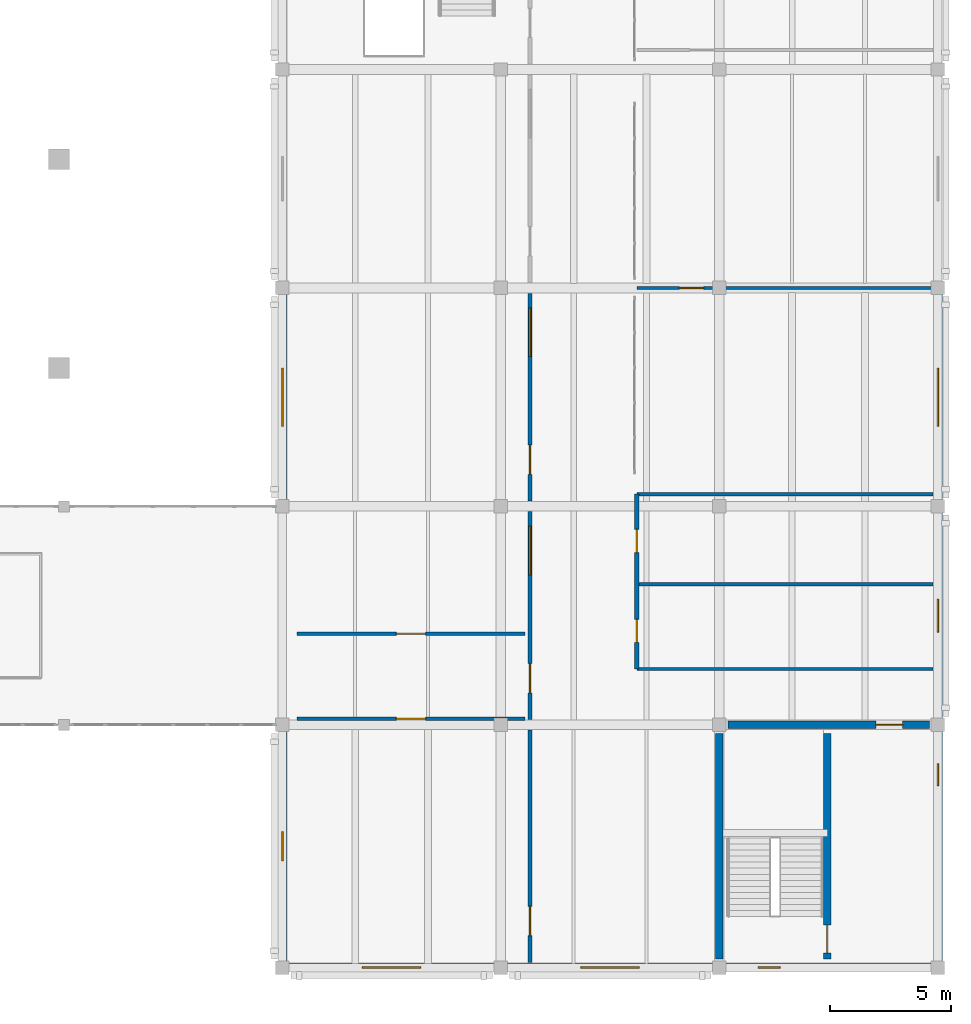
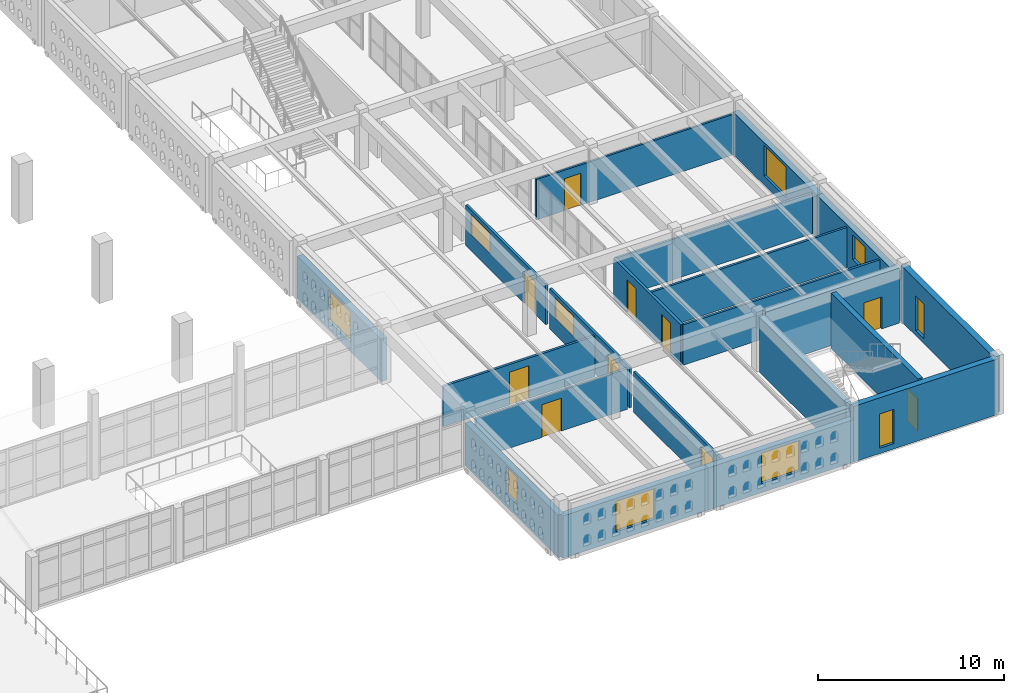
# One storey, part 134 of 156: 21 walls, 10 doors, 10 windows, 20 openings.
"""IFC4 building model written with IfcOpenShell, lengths in metres."""

from ifc_helpers import new_model, si_unit, direction, frame, frame_2d, origin, place, context, subcontext, project, spatial, rectangle, extrude, material, layer, layer_set, type_object, element, fill, save


model = new_model("IFC4")

# Units and contexts
model_context = context("Model", 3, precision=1e-05, world=origin(), true_north=direction((0.0, 1.0)))
body_context = subcontext(model_context, "Body", "Model", "MODEL_VIEW")
ifc_project = project(units=[si_unit("LENGTHUNIT", "METRE"), si_unit("AREAUNIT", "SQUARE_METRE"), si_unit("VOLUMEUNIT", "CUBIC_METRE"), si_unit("PLANEANGLEUNIT", "RADIAN"), si_unit("MASSUNIT", "GRAM", prefix="KILO")], contexts=[model_context])

# Site, building, storey
site_placement = place(None, origin())
site = spatial("IfcSite", under=ifc_project, at=site_placement, CompositionType="ELEMENT")
building_placement = place(site_placement, origin())
building = spatial("IfcBuilding", under=site, at=building_placement, Name="Ornek Quay Market", CompositionType="ELEMENT")
storey_placement = place(building_placement, frame((0.0, 0.0, 4.5)))
storey = spatial("IfcBuildingStorey", under=building, at=storey_placement, Name="L01", CompositionType="ELEMENT", Elevation=4.5)

# Wall, opening, door
ifc_material_1 = material(Name="Concrete C40/50", Category="concrete")
ifc_layer_1 = layer(ifc_material_1, 0.300048828125, Name="Concrete C40/50", Category="concrete")
ifc_layer_set_1 = layer_set([ifc_layer_1], Name="Concrete C40/50")
wall_type_1 = type_object("IfcWallType", Name="WL-CORE-300", PredefinedType="SHEAR", material=ifc_layer_set_1)
wall_1_placement = place(storey_placement, frame((175.449951171875, 10.35009765625, 0.0), z_axis=(0.0, 0.0, 1.0), x_axis=(0.0, 1.0, 0.0)))
wall_1 = element("IfcWall", 1, at=wall_1_placement, inside=storey, type_object=wall_type_1, Name="Interior wall W-CORE1-160", PredefinedType="SHEAR", context=body_context, shape_type="SweptSolid", body=[
    extrude(rectangle(XDim=9.2998046875, YDim=0.300048828125, at=frame_2d((4.64990234375, 0.0))), origin(), (0.0, 0.0, 1.0), 3.6201171875),
])
opening_1_placement = place(wall_1_placement, frame((0.25, 0.0, 0.0)))
opening_1 = element("IfcOpeningElement", 2, at=opening_1_placement, cuts=wall_1, Name="Opening FD-03-062", PredefinedType="OPENING", context=body_context, shape_type="SweptSolid", body=[
    extrude(rectangle(XDim=1.14990234375, YDim=2.14990234375, at=frame_2d((0.574951171875, 1.074951171875))), frame((0.0, 0.159912109375, 0.0), z_axis=(0.0, -1.0, 0.0), x_axis=(1.0, 0.0, 0.0)), (0.0, 0.0, 1.0), 0.320068359375),
])
ifc_material_2 = material(Name="Insulated fire-rated painted steel", Category="steel")
door_type_1 = type_object("IfcDoorType", Name="DR-FIRE-STAIR-1150x2150", OperationType="NOTDEFINED", PredefinedType="DOOR", material=ifc_material_2)
door_1_placement = place(opening_1_placement, origin())
door_1 = element("IfcDoor", 3, at=door_1_placement, inside=storey, type_object=door_type_1, Name="Interior door FD-03-062", OperationType="SINGLE_SWING_LEFT", OverallHeight=2.14990234375, OverallWidth=1.14990234375, PredefinedType="DOOR", context=body_context, shape_type="SweptSolid", body=[
    extrude(rectangle(XDim=1.14990234375, YDim=2.14990234375, at=frame_2d((0.574951171875, 1.074951171875))), frame((0.0, 0.02490234375, 0.0), z_axis=(0.0, -1.0, 0.0), x_axis=(1.0, 0.0, 0.0)), (0.0, 0.0, 1.0), 0.050048828125),
])
fill(opening_1, door_1)

# Wall
wall_2_placement = place(storey_placement, frame((171.0, 10.35009765625, 0.0), z_axis=(0.0, 0.0, 1.0), x_axis=(0.0, 1.0, 0.0)))
element("IfcWall", 4, at=wall_2_placement, inside=storey, type_object=wall_type_1, Name="Interior wall W-CORE1-161", PredefinedType="SHEAR", context=body_context, shape_type="SweptSolid", body=[
    extrude(rectangle(XDim=9.2998046875, YDim=0.300048828125, at=frame_2d((4.64990234375, 0.0))), origin(), (0.0, 0.0, 1.0), 3.6201171875),
])

# Wall, opening, door
wall_3_placement = place(storey_placement, frame((171.35009765625, 20.0, 0.0), z_axis=(0.0, 0.0, 1.0), x_axis=(1.0, 0.0, 0.0)))
wall_3 = element("IfcWall", 5, at=wall_3_placement, inside=storey, type_object=wall_type_1, Name="Interior wall W-CORE1-162", PredefinedType="SHEAR", context=body_context, shape_type="SweptSolid", body=[
    extrude(rectangle(XDim=8.2998046875, YDim=0.300048828125, at=frame_2d((4.14990234375, 0.0))), origin(), (0.0, 0.0, 1.0), 3.6201171875),
])
opening_2_placement = place(wall_3_placement, frame((6.10009765625, 0.0, 0.0)))
opening_2 = element("IfcOpeningElement", 6, at=opening_2_placement, cuts=wall_3, Name="Opening FD-04-063", PredefinedType="OPENING", context=body_context, shape_type="SweptSolid", body=[
    extrude(rectangle(XDim=1.10009765625, YDim=2.10009765625, at=frame_2d((0.550048828125, 1.050048828125))), frame((0.0, 0.159912109375, 0.0), z_axis=(0.0, -1.0, 0.0), x_axis=(1.0, 0.0, 0.0)), (0.0, 0.0, 1.0), 0.320068359375),
])
door_type_2 = type_object("IfcDoorType", Name="DR-FIRE-LOBBY-1100x2100", OperationType="NOTDEFINED", PredefinedType="DOOR", material=ifc_material_2)
door_2_placement = place(opening_2_placement, origin())
door_2 = element("IfcDoor", 7, at=door_2_placement, inside=storey, type_object=door_type_2, Name="Interior door FD-04-063", OperationType="SINGLE_SWING_RIGHT", OverallHeight=2.10009765625, OverallWidth=1.10009765625, PredefinedType="DOOR", context=body_context, shape_type="SweptSolid", body=[
    extrude(rectangle(XDim=1.10009765625, YDim=2.10009765625, at=frame_2d((0.550048828125, 1.050048828125))), frame((0.0, 0.02490234375, 0.0), z_axis=(0.0, -1.0, 0.0), x_axis=(1.0, 0.0, 0.0)), (0.0, 0.0, 1.0), 0.050048828125),
])
fill(opening_2, door_2)

# Wall, openings, doors
ifc_material_3 = material(Name="Autoclaved aerated concrete masonry", Category="masonry")
ifc_layer_2 = layer(ifc_material_3, 0.179931640625, Name="Autoclaved aerated concrete masonry", Category="masonry")
ifc_layer_set_2 = layer_set([ifc_layer_2], Name="Autoclaved aerated concrete masonry")
wall_type_2 = type_object("IfcWallType", Name="WL-CORR-180", PredefinedType="STANDARD", material=ifc_layer_set_2)
wall_4_placement = place(storey_placement, frame((167.60009765625, 22.300048828125, 0.0), z_axis=(0.0, 0.0, 1.0), x_axis=(0.0, 1.0, 0.0)))
wall_4 = element("IfcWall", 8, at=wall_4_placement, inside=storey, type_object=wall_type_2, Name="Interior wall W-INT1-395", PredefinedType="STANDARD", context=body_context, shape_type="SweptSolid", body=[
    extrude(rectangle(XDim=7.199951171875, YDim=0.179931640625, at=frame_2d((3.60009765625, 0.0))), origin(), (0.0, 0.0, 1.0), 2.64990234375),
])
opening_3_placement = place(wall_4_placement, frame((1.10009765625, 0.0, 0.0)))
opening_3 = element("IfcOpeningElement", 9, at=opening_3_placement, cuts=wall_4, Name="Opening ID-04-190", PredefinedType="OPENING", context=body_context, shape_type="SweptSolid", body=[
    extrude(rectangle(XDim=0.949951171875, YDim=2.10009765625, at=frame_2d((0.47509765625, 1.050048828125))), frame((0.0, 0.099853515625, 0.0), z_axis=(0.0, -1.0, 0.0), x_axis=(1.0, 0.0, 0.0)), (0.0, 0.0, 1.0), 0.199951171875),
])
opening_4_placement = place(wall_4_placement, frame((4.800048828125, 0.0, 0.0)))
opening_4 = element("IfcOpeningElement", 10, at=opening_4_placement, cuts=wall_4, Name="Opening ID-04-191", PredefinedType="OPENING", context=body_context, shape_type="SweptSolid", body=[
    extrude(rectangle(XDim=0.949951171875, YDim=2.10009765625, at=frame_2d((0.47509765625, 1.050048828125))), frame((0.0, 0.099853515625, 0.0), z_axis=(0.0, -1.0, 0.0), x_axis=(1.0, 0.0, 0.0)), (0.0, 0.0, 1.0), 0.199951171875),
])
ifc_material_4 = material(Name="Moisture-resistant laminate door", Category="other")
door_type_3 = type_object("IfcDoorType", Name="DR-INT-WC-950x2100", OperationType="NOTDEFINED", PredefinedType="DOOR", material=ifc_material_4)
door_3_placement = place(opening_3_placement, origin())
door_3 = element("IfcDoor", 11, at=door_3_placement, inside=storey, type_object=door_type_3, Name="Interior door ID-04-190", OperationType="SINGLE_SWING_LEFT", OverallHeight=2.10009765625, OverallWidth=0.949951171875, PredefinedType="DOOR", context=body_context, shape_type="SweptSolid", body=[
    extrude(rectangle(XDim=0.949951171875, YDim=2.10009765625, at=frame_2d((0.47509765625, 1.050048828125))), frame((0.0, 0.02490234375, 0.0), z_axis=(0.0, -1.0, 0.0), x_axis=(1.0, 0.0, 0.0)), (0.0, 0.0, 1.0), 0.050048828125),
])
fill(opening_3, door_3)
door_4_placement = place(opening_4_placement, origin())
door_4 = element("IfcDoor", 12, at=door_4_placement, inside=storey, type_object=door_type_3, Name="Interior door ID-04-191", OperationType="SINGLE_SWING_RIGHT", OverallHeight=2.10009765625, OverallWidth=0.949951171875, PredefinedType="DOOR", context=body_context, shape_type="SweptSolid", body=[
    extrude(rectangle(XDim=0.949951171875, YDim=2.10009765625, at=frame_2d((0.47509765625, 1.050048828125))), frame((0.0, 0.02490234375, 0.0), z_axis=(0.0, -1.0, 0.0), x_axis=(1.0, 0.0, 0.0)), (0.0, 0.0, 1.0), 0.050048828125),
])
fill(opening_4, door_4)

# Wall, opening, window
ifc_material_5 = material(Name="Frost-resistant facing clay brick M200 F100", Category="masonry")
ifc_layer_3 = layer(ifc_material_5, 0.3701171875, Name="Frost-resistant facing clay brick M200 F100", Category="masonry")
ifc_layer_set_3 = layer_set([ifc_layer_3], Name="Frost-resistant facing clay brick M200 F100")
wall_type_3 = type_object("IfcWallType", Name="WL-EXT-CS-370", PredefinedType="STANDARD", material=ifc_layer_set_3)
wall_5_placement = place(storey_placement, frame((153.0, 10.0, 0.0), z_axis=(0.0, 0.0, 1.0), x_axis=(0.0, 1.0, 0.0)))
wall_5 = element("IfcWall", 13, at=wall_5_placement, inside=storey, type_object=wall_type_3, Name="Exterior wall EW-200", PredefinedType="STANDARD", context=body_context, shape_type="SweptSolid", body=[
    extrude(rectangle(XDim=10.0, YDim=0.3701171875, at=frame_2d((5.0, 0.0))), origin(), (0.0, 0.0, 1.0), 2.780029296875),
])
opening_5_placement = place(wall_5_placement, frame((4.39990234375, 0.0, 0.7900390625)))
opening_5 = element("IfcOpeningElement", 14, at=opening_5_placement, cuts=wall_5, Name="Opening W-11-163", PredefinedType="OPENING", context=body_context, shape_type="SweptSolid", body=[
    extrude(rectangle(XDim=1.199951171875, YDim=1.800048828125, at=frame_2d((0.60009765625, 0.89990234375))), frame((0.0, 0.195068359375, 0.0), z_axis=(0.0, -1.0, 0.0), x_axis=(1.0, 0.0, 0.0)), (0.0, 0.0, 1.0), 0.39013671875),
])
ifc_material_6 = material(Name="Thermally broken bronze aluminium and triple low-e glass", Category="aluminium")
window_type_1 = type_object("IfcWindowType", Name="WN-CS-1200x1800", PartitioningType="SINGLE_PANEL", PredefinedType="WINDOW", material=ifc_material_6)
window_1_placement = place(opening_5_placement, origin())
window_1 = element("IfcWindow", 15, at=window_1_placement, inside=storey, type_object=window_type_1, Name="Window W-11-163", OverallHeight=1.800048828125, OverallWidth=1.199951171875, PartitioningType="SINGLE_PANEL", PredefinedType="WINDOW", context=body_context, shape_type="SweptSolid", body=[
    extrude(rectangle(XDim=1.199951171875, YDim=1.800048828125, at=frame_2d((0.60009765625, 0.89990234375))), frame((0.0, 0.030029296875, 0.0), z_axis=(0.0, -1.0, 0.0), x_axis=(1.0, 0.0, 0.0)), (0.0, 0.0, 1.0), 0.06005859375),
])
fill(opening_5, window_1)

wall_6_placement = place(storey_placement, frame((153.0, 29.0, 0.0), z_axis=(0.0, 0.0, 1.0), x_axis=(0.0, 1.0, 0.0)))
wall_6 = element("IfcWall", 16, at=wall_6_placement, inside=storey, type_object=wall_type_3, Name="Exterior wall EW-201", PredefinedType="STANDARD", context=body_context, shape_type="SweptSolid", body=[
    extrude(rectangle(XDim=9.0, YDim=0.3701171875, at=frame_2d((4.5, 0.0))), origin(), (0.0, 0.0, 1.0), 2.780029296875),
])
opening_6_placement = place(wall_6_placement, frame((3.300048828125, 0.0, 0.590087890625)))
opening_6 = element("IfcOpeningElement", 17, at=opening_6_placement, cuts=wall_6, Name="Opening W-08-164", PredefinedType="OPENING", context=body_context, shape_type="SweptSolid", body=[
    extrude(rectangle(XDim=2.39990234375, YDim=2.0, at=frame_2d((1.199951171875, 1.0))), frame((0.0, 0.195068359375, 0.0), z_axis=(0.0, -1.0, 0.0), x_axis=(1.0, 0.0, 0.0)), (0.0, 0.0, 1.0), 0.39013671875),
])
window_type_2 = type_object("IfcWindowType", Name="WN-CS-2400x2000", PartitioningType="DOUBLE_PANEL_VERTICAL", PredefinedType="WINDOW", material=ifc_material_6)
window_2_placement = place(opening_6_placement, origin())
window_2 = element("IfcWindow", 18, at=window_2_placement, inside=storey, type_object=window_type_2, Name="Window W-08-164", OverallHeight=2.0, OverallWidth=2.39990234375, PartitioningType="SINGLE_PANEL", PredefinedType="WINDOW", context=body_context, shape_type="SweptSolid", body=[
    extrude(rectangle(XDim=2.39990234375, YDim=2.0, at=frame_2d((1.199951171875, 1.0))), frame((0.0, 0.030029296875, 0.0), z_axis=(0.0, -1.0, 0.0), x_axis=(1.0, 0.0, 0.0)), (0.0, 0.0, 1.0), 0.06005859375),
])
fill(opening_6, window_2)

wall_7_placement = place(storey_placement, frame((180.0, 20.0, 0.0), z_axis=(0.0, 0.0, 1.0), x_axis=(0.0, -1.0, 0.0)))
wall_7 = element("IfcWall", 19, at=wall_7_placement, inside=storey, type_object=wall_type_3, Name="Exterior wall EW-205", PredefinedType="STANDARD", context=body_context, shape_type="SweptSolid", body=[
    extrude(rectangle(XDim=10.0, YDim=0.3701171875, at=frame_2d((5.0, 0.0))), origin(), (0.0, 0.0, 1.0), 3.64990234375),
])
opening_7_placement = place(wall_7_placement, frame((1.60009765625, 0.0, 0.35009765625)))
opening_7 = element("IfcOpeningElement", 20, at=opening_7_placement, cuts=wall_7, Name="Opening W-17-168", PredefinedType="OPENING", context=body_context, shape_type="SweptSolid", body=[
    extrude(rectangle(XDim=0.89990234375, YDim=2.239990234375, at=frame_2d((0.449951171875, 1.1201171875))), frame((0.0, 0.195068359375, 0.0), z_axis=(0.0, -1.0, 0.0), x_axis=(1.0, 0.0, 0.0)), (0.0, 0.0, 1.0), 0.39013671875),
])
window_type_3 = type_object("IfcWindowType", Name="WN-CORE-900x2400", PartitioningType="SINGLE_PANEL", PredefinedType="WINDOW", material=ifc_material_6)
window_3_placement = place(opening_7_placement, origin())
window_3 = element("IfcWindow", 21, at=window_3_placement, inside=storey, type_object=window_type_3, Name="Window W-17-168", OverallHeight=2.239990234375, OverallWidth=0.89990234375, PartitioningType="SINGLE_PANEL", PredefinedType="WINDOW", context=body_context, shape_type="SweptSolid", body=[
    extrude(rectangle(XDim=0.89990234375, YDim=2.239990234375, at=frame_2d((0.449951171875, 1.1201171875))), frame((0.0, 0.030029296875, 0.0), z_axis=(0.0, -1.0, 0.0), x_axis=(1.0, 0.0, 0.0)), (0.0, 0.0, 1.0), 0.06005859375),
])
fill(opening_7, window_3)

wall_8_placement = place(storey_placement, frame((180.0, 20.0, 0.0), z_axis=(0.0, 0.0, 1.0), x_axis=(0.0, 1.0, 0.0)))
wall_8 = element("IfcWall", 22, at=wall_8_placement, inside=storey, type_object=wall_type_3, Name="Exterior wall EW-206", PredefinedType="STANDARD", context=body_context, shape_type="SweptSolid", body=[
    extrude(rectangle(XDim=9.0, YDim=0.3701171875, at=frame_2d((4.5, 0.0))), origin(), (0.0, 0.0, 1.0), 2.780029296875),
])
opening_8_placement = place(wall_8_placement, frame((3.824951171875, 0.0, 0.89990234375)))
opening_8 = element("IfcOpeningElement", 23, at=opening_8_placement, cuts=wall_8, Name="Opening W-16-169", PredefinedType="OPENING", context=body_context, shape_type="SweptSolid", body=[
    extrude(rectangle(XDim=1.35009765625, YDim=1.60009765625, at=frame_2d((0.675048828125, 0.800048828125))), frame((0.0, 0.195068359375, 0.0), z_axis=(0.0, -1.0, 0.0), x_axis=(1.0, 0.0, 0.0)), (0.0, 0.0, 1.0), 0.39013671875),
])
window_type_4 = type_object("IfcWindowType", Name="WN-OFF-1350x1600", PartitioningType="SINGLE_PANEL", PredefinedType="WINDOW", material=ifc_material_6)
window_4_placement = place(opening_8_placement, origin())
window_4 = element("IfcWindow", 24, at=window_4_placement, inside=storey, type_object=window_type_4, Name="Window W-16-169", OverallHeight=1.60009765625, OverallWidth=1.35009765625, PartitioningType="SINGLE_PANEL", PredefinedType="WINDOW", context=body_context, shape_type="SweptSolid", body=[
    extrude(rectangle(XDim=1.35009765625, YDim=1.60009765625, at=frame_2d((0.675048828125, 0.800048828125))), frame((0.0, 0.030029296875, 0.0), z_axis=(0.0, -1.0, 0.0), x_axis=(1.0, 0.0, 0.0)), (0.0, 0.0, 1.0), 0.06005859375),
])
fill(opening_8, window_4)

wall_9_placement = place(storey_placement, frame((180.0, 29.0, 0.0), z_axis=(0.0, 0.0, 1.0), x_axis=(0.0, 1.0, 0.0)))
wall_9 = element("IfcWall", 25, at=wall_9_placement, inside=storey, type_object=wall_type_3, Name="Exterior wall EW-207", PredefinedType="STANDARD", context=body_context, shape_type="SweptSolid", body=[
    extrude(rectangle(XDim=9.0, YDim=0.3701171875, at=frame_2d((4.5, 0.0))), origin(), (0.0, 0.0, 1.0), 2.780029296875),
])
opening_9_placement = place(wall_9_placement, frame((3.300048828125, 0.0, 0.590087890625)))
opening_9 = element("IfcOpeningElement", 26, at=opening_9_placement, cuts=wall_9, Name="Opening W-08-170", PredefinedType="OPENING", context=body_context, shape_type="SweptSolid", body=[
    extrude(rectangle(XDim=2.39990234375, YDim=2.0, at=frame_2d((1.199951171875, 1.0))), frame((0.0, 0.195068359375, 0.0), z_axis=(0.0, -1.0, 0.0), x_axis=(1.0, 0.0, 0.0)), (0.0, 0.0, 1.0), 0.39013671875),
])
window_5_placement = place(opening_9_placement, origin())
window_5 = element("IfcWindow", 27, at=window_5_placement, inside=storey, type_object=window_type_2, Name="Window W-08-170", OverallHeight=2.0, OverallWidth=2.39990234375, PartitioningType="SINGLE_PANEL", PredefinedType="WINDOW", context=body_context, shape_type="SweptSolid", body=[
    extrude(rectangle(XDim=2.39990234375, YDim=2.0, at=frame_2d((1.199951171875, 1.0))), frame((0.0, 0.030029296875, 0.0), z_axis=(0.0, -1.0, 0.0), x_axis=(1.0, 0.0, 0.0)), (0.0, 0.0, 1.0), 0.06005859375),
])
fill(opening_9, window_5)

wall_10_placement = place(storey_placement, frame((153.0, 10.0, 0.0), z_axis=(0.0, 0.0, 1.0), x_axis=(1.0, 0.0, 0.0)))
wall_10 = element("IfcWall", 28, at=wall_10_placement, inside=storey, type_object=wall_type_3, Name="Exterior wall EW-211", PredefinedType="STANDARD", context=body_context, shape_type="SweptSolid", body=[
    extrude(rectangle(XDim=9.0, YDim=0.3701171875, at=frame_2d((4.5, 0.0))), origin(), (0.0, 0.0, 1.0), 2.780029296875),
])
opening_10_placement = place(wall_10_placement, frame((3.300048828125, 0.0, 0.590087890625)))
opening_10 = element("IfcOpeningElement", 29, at=opening_10_placement, cuts=wall_10, Name="Opening W-08-174", PredefinedType="OPENING", context=body_context, shape_type="SweptSolid", body=[
    extrude(rectangle(XDim=2.39990234375, YDim=2.0, at=frame_2d((1.199951171875, 1.0))), frame((0.0, 0.195068359375, 0.0), z_axis=(0.0, -1.0, 0.0), x_axis=(1.0, 0.0, 0.0)), (0.0, 0.0, 1.0), 0.39013671875),
])
window_6_placement = place(opening_10_placement, origin())
window_6 = element("IfcWindow", 30, at=window_6_placement, inside=storey, type_object=window_type_2, Name="Window W-08-174", OverallHeight=2.0, OverallWidth=2.39990234375, PartitioningType="SINGLE_PANEL", PredefinedType="WINDOW", context=body_context, shape_type="SweptSolid", body=[
    extrude(rectangle(XDim=2.39990234375, YDim=2.0, at=frame_2d((1.199951171875, 1.0))), frame((0.0, 0.030029296875, 0.0), z_axis=(0.0, -1.0, 0.0), x_axis=(1.0, 0.0, 0.0)), (0.0, 0.0, 1.0), 0.06005859375),
])
fill(opening_10, window_6)

wall_11_placement = place(storey_placement, frame((162.0, 10.0, 0.0), z_axis=(0.0, 0.0, 1.0), x_axis=(1.0, 0.0, 0.0)))
wall_11 = element("IfcWall", 31, at=wall_11_placement, inside=storey, type_object=wall_type_3, Name="Exterior wall EW-212", PredefinedType="STANDARD", context=body_context, shape_type="SweptSolid", body=[
    extrude(rectangle(XDim=9.0, YDim=0.3701171875, at=frame_2d((4.5, 0.0))), origin(), (0.0, 0.0, 1.0), 2.780029296875),
])
opening_11_placement = place(wall_11_placement, frame((3.300048828125, 0.0, 0.590087890625)))
opening_11 = element("IfcOpeningElement", 32, at=opening_11_placement, cuts=wall_11, Name="Opening W-08-175", PredefinedType="OPENING", context=body_context, shape_type="SweptSolid", body=[
    extrude(rectangle(XDim=2.39990234375, YDim=2.0, at=frame_2d((1.199951171875, 1.0))), frame((0.0, 0.195068359375, 0.0), z_axis=(0.0, -1.0, 0.0), x_axis=(1.0, 0.0, 0.0)), (0.0, 0.0, 1.0), 0.39013671875),
])
window_7_placement = place(opening_11_placement, origin())
window_7 = element("IfcWindow", 33, at=window_7_placement, inside=storey, type_object=window_type_2, Name="Window W-08-175", OverallHeight=2.0, OverallWidth=2.39990234375, PartitioningType="SINGLE_PANEL", PredefinedType="WINDOW", context=body_context, shape_type="SweptSolid", body=[
    extrude(rectangle(XDim=2.39990234375, YDim=2.0, at=frame_2d((1.199951171875, 1.0))), frame((0.0, 0.030029296875, 0.0), z_axis=(0.0, -1.0, 0.0), x_axis=(1.0, 0.0, 0.0)), (0.0, 0.0, 1.0), 0.06005859375),
])
fill(opening_11, window_7)

wall_12_placement = place(storey_placement, frame((171.0, 10.0, 0.0), z_axis=(0.0, 0.0, 1.0), x_axis=(1.0, 0.0, 0.0)))
wall_12 = element("IfcWall", 34, at=wall_12_placement, inside=storey, type_object=wall_type_3, Name="Exterior wall EW-213", PredefinedType="STANDARD", context=body_context, shape_type="SweptSolid", body=[
    extrude(rectangle(XDim=9.0, YDim=0.3701171875, at=frame_2d((4.5, 0.0))), origin(), (0.0, 0.0, 1.0), 3.64990234375),
])
opening_12_placement = place(wall_12_placement, frame((1.60009765625, 0.0, 0.35009765625)))
opening_12 = element("IfcOpeningElement", 35, at=opening_12_placement, cuts=wall_12, Name="Opening W-17-176", PredefinedType="OPENING", context=body_context, shape_type="SweptSolid", body=[
    extrude(rectangle(XDim=0.89990234375, YDim=2.239990234375, at=frame_2d((0.449951171875, 1.1201171875))), frame((0.0, 0.195068359375, 0.0), z_axis=(0.0, -1.0, 0.0), x_axis=(1.0, 0.0, 0.0)), (0.0, 0.0, 1.0), 0.39013671875),
])
window_8_placement = place(opening_12_placement, origin())
window_8 = element("IfcWindow", 36, at=window_8_placement, inside=storey, type_object=window_type_3, Name="Window W-17-176", OverallHeight=2.239990234375, OverallWidth=0.89990234375, PartitioningType="SINGLE_PANEL", PredefinedType="WINDOW", context=body_context, shape_type="SweptSolid", body=[
    extrude(rectangle(XDim=0.89990234375, YDim=2.239990234375, at=frame_2d((0.449951171875, 1.1201171875))), frame((0.0, 0.030029296875, 0.0), z_axis=(0.0, -1.0, 0.0), x_axis=(1.0, 0.0, 0.0)), (0.0, 0.0, 1.0), 0.06005859375),
])
fill(opening_12, window_8)

# Wall, opening, door
ifc_material_7 = material(Name="Acoustic stud partition", Category="other")
ifc_layer_4 = layer(ifc_material_7, 0.125, Name="Acoustic stud partition", Category="other")
ifc_layer_set_4 = layer_set([ifc_layer_4], Name="Acoustic stud partition")
wall_type_4 = type_object("IfcWallType", Name="WL-OFF-125", PredefinedType="PARTITIONING", material=ifc_layer_set_4)
wall_13_placement = place(storey_placement, frame((167.60009765625, 38.0, 0.0), z_axis=(0.0, 0.0, 1.0), x_axis=(1.0, 0.0, 0.0)))
wall_13 = element("IfcWall", 37, at=wall_13_placement, inside=storey, type_object=wall_type_4, Name="Interior wall W-INT5-324", PredefinedType="PARTITIONING", context=body_context, shape_type="SweptSolid", body=[
    extrude(rectangle(XDim=12.199951171875, YDim=0.125, at=frame_2d((6.10009765625, 0.0))), origin(), (0.0, 0.0, 1.0), 2.64990234375),
])
opening_13_placement = place(wall_13_placement, frame((1.75, 0.0, 0.0)))
opening_13 = element("IfcOpeningElement", 38, at=opening_13_placement, cuts=wall_13, Name="Opening ID-03-152", PredefinedType="OPENING", context=body_context, shape_type="SweptSolid", body=[
    extrude(rectangle(XDim=1.0, YDim=2.10009765625, at=frame_2d((0.5, 1.050048828125))), frame((0.0, 0.072509765625, 0.0), z_axis=(0.0, -1.0, 0.0), x_axis=(1.0, 0.0, 0.0)), (0.0, 0.0, 1.0), 0.14501953125),
])
ifc_material_8 = material(Name="Solid oak door", Category="other")
door_type_4 = type_object("IfcDoorType", Name="DR-INT-ROOM-1000x2100", OperationType="NOTDEFINED", PredefinedType="DOOR", material=ifc_material_8)
door_5_placement = place(opening_13_placement, origin())
door_5 = element("IfcDoor", 39, at=door_5_placement, inside=storey, type_object=door_type_4, Name="Interior door ID-03-152", OperationType="SINGLE_SWING_LEFT", OverallHeight=2.10009765625, OverallWidth=1.0, PredefinedType="DOOR", context=body_context, shape_type="SweptSolid", body=[
    extrude(rectangle(XDim=1.0, YDim=2.10009765625, at=frame_2d((0.5, 1.050048828125))), frame((0.0, 0.02490234375, 0.0), z_axis=(0.0, -1.0, 0.0), x_axis=(1.0, 0.0, 0.0)), (0.0, 0.0, 1.0), 0.050048828125),
])
fill(opening_13, door_5)

ifc_material_9 = material(Name="Acoustic twin-stud gypsum partition", Category="other")
ifc_layer_5 = layer(ifc_material_9, 0.14990234375, Name="Acoustic twin-stud gypsum partition", Category="other")
ifc_layer_set_5 = layer_set([ifc_layer_5], Name="Acoustic twin-stud gypsum partition")
wall_type_5 = type_object("IfcWallType", Name="WL-STUDIO-150", PredefinedType="PARTITIONING", material=ifc_layer_set_5)
wall_14_placement = place(storey_placement, frame((163.199951171875, 10.219970703125, 0.0), z_axis=(0.0, 0.0, 1.0), x_axis=(0.0, 1.0, 0.0)))
wall_14 = element("IfcWall", 40, at=wall_14_placement, inside=storey, type_object=wall_type_5, Name="Interior wall W-INT3-315", PredefinedType="PARTITIONING", context=body_context, shape_type="SweptSolid", body=[
    extrude(rectangle(XDim=9.56005859375, YDim=0.14990234375, at=frame_2d((4.780029296875, 0.0))), origin(), (0.0, 0.0, 1.0), 2.64990234375),
])
opening_14_placement = place(wall_14_placement, frame((1.10009765625, 0.0, 0.0)))
opening_14 = element("IfcOpeningElement", 41, at=opening_14_placement, cuts=wall_14, Name="Opening ID-02-146", PredefinedType="OPENING", context=body_context, shape_type="SweptSolid", body=[
    extrude(rectangle(XDim=1.199951171875, YDim=2.14990234375, at=frame_2d((0.60009765625, 1.074951171875))), frame((0.0, 0.0849609375, 0.0), z_axis=(0.0, -1.0, 0.0), x_axis=(1.0, 0.0, 0.0)), (0.0, 0.0, 1.0), 0.169921875),
])
ifc_material_10 = material(Name="Acoustic solid oak door", Category="other")
door_type_5 = type_object("IfcDoorType", Name="DR-INT-STUDIO-1200x2150", OperationType="NOTDEFINED", PredefinedType="DOOR", material=ifc_material_10)
door_6_placement = place(opening_14_placement, origin())
door_6 = element("IfcDoor", 42, at=door_6_placement, inside=storey, type_object=door_type_5, Name="Interior door ID-02-146", OperationType="SINGLE_SWING_LEFT", OverallHeight=2.14990234375, OverallWidth=1.199951171875, PredefinedType="DOOR", context=body_context, shape_type="SweptSolid", body=[
    extrude(rectangle(XDim=1.199951171875, YDim=2.14990234375, at=frame_2d((0.60009765625, 1.074951171875))), frame((0.0, 0.02490234375, 0.0), z_axis=(0.0, -1.0, 0.0), x_axis=(1.0, 0.0, 0.0)), (0.0, 0.0, 1.0), 0.050048828125),
])
fill(opening_14, door_6)

# Wall, openings, door, window
wall_15_placement = place(storey_placement, frame((163.199951171875, 20.219970703125, 0.0), z_axis=(0.0, 0.0, 1.0), x_axis=(0.0, 1.0, 0.0)))
wall_15 = element("IfcWall", 43, at=wall_15_placement, inside=storey, type_object=wall_type_5, Name="Interior wall W-INT3-316", PredefinedType="PARTITIONING", context=body_context, shape_type="SweptSolid", body=[
    extrude(rectangle(XDim=8.56005859375, YDim=0.14990234375, at=frame_2d((4.280029296875, 0.0))), origin(), (0.0, 0.0, 1.0), 2.64990234375),
])
opening_15_placement = place(wall_15_placement, frame((1.10009765625, 0.0, 0.0)))
opening_15 = element("IfcOpeningElement", 44, at=opening_15_placement, cuts=wall_15, Name="Opening ID-02-147", PredefinedType="OPENING", context=body_context, shape_type="SweptSolid", body=[
    extrude(rectangle(XDim=1.199951171875, YDim=2.14990234375, at=frame_2d((0.60009765625, 1.074951171875))), frame((0.0, 0.0849609375, 0.0), z_axis=(0.0, -1.0, 0.0), x_axis=(1.0, 0.0, 0.0)), (0.0, 0.0, 1.0), 0.169921875),
])
opening_16_placement = place(wall_15_placement, frame((5.9599609375, 0.0, 1.050048828125)))
opening_16 = element("IfcOpeningElement", 45, at=opening_16_placement, cuts=wall_15, Name="Opening W-19-L01-20", PredefinedType="OPENING", context=body_context, shape_type="SweptSolid", body=[
    extrude(rectangle(XDim=2.0, YDim=1.35009765625, at=frame_2d((1.0, 0.675048828125))), frame((0.0, 0.0849609375, 0.0), z_axis=(0.0, -1.0, 0.0), x_axis=(1.0, 0.0, 0.0)), (0.0, 0.0, 1.0), 0.169921875),
])
door_7_placement = place(opening_15_placement, origin())
door_7 = element("IfcDoor", 46, at=door_7_placement, inside=storey, type_object=door_type_5, Name="Interior door ID-02-147", OperationType="SINGLE_SWING_RIGHT", OverallHeight=2.14990234375, OverallWidth=1.199951171875, PredefinedType="DOOR", context=body_context, shape_type="SweptSolid", body=[
    extrude(rectangle(XDim=1.199951171875, YDim=2.14990234375, at=frame_2d((0.60009765625, 1.074951171875))), frame((0.0, 0.02490234375, 0.0), z_axis=(0.0, -1.0, 0.0), x_axis=(1.0, 0.0, 0.0)), (0.0, 0.0, 1.0), 0.050048828125),
])
fill(opening_15, door_7)
window_type_5 = type_object("IfcWindowType", Name="WN-INT-2000x1500", PartitioningType="DOUBLE_PANEL_VERTICAL", PredefinedType="WINDOW", material=ifc_material_6)
window_9_placement = place(opening_16_placement, origin())
window_9 = element("IfcWindow", 47, at=window_9_placement, inside=storey, type_object=window_type_5, Name="Teaching kitchen observation window L01-20", OverallHeight=1.35009765625, OverallWidth=2.0, PartitioningType="SINGLE_PANEL", PredefinedType="WINDOW", context=body_context, shape_type="SweptSolid", body=[
    extrude(rectangle(XDim=2.0, YDim=1.35009765625, at=frame_2d((1.0, 0.675048828125))), frame((0.0, 0.030029296875, 0.0), z_axis=(0.0, -1.0, 0.0), x_axis=(1.0, 0.0, 0.0)), (0.0, 0.0, 1.0), 0.06005859375),
])
fill(opening_16, window_9)

wall_16_placement = place(storey_placement, frame((163.199951171875, 29.219970703125, 0.0), z_axis=(0.0, 0.0, 1.0), x_axis=(0.0, 1.0, 0.0)))
wall_16 = element("IfcWall", 48, at=wall_16_placement, inside=storey, type_object=wall_type_5, Name="Interior wall W-INT3-317", PredefinedType="PARTITIONING", context=body_context, shape_type="SweptSolid", body=[
    extrude(rectangle(XDim=8.56005859375, YDim=0.14990234375, at=frame_2d((4.280029296875, 0.0))), origin(), (0.0, 0.0, 1.0), 2.64990234375),
])
opening_17_placement = place(wall_16_placement, frame((1.10009765625, 0.0, 0.0)))
opening_17 = element("IfcOpeningElement", 49, at=opening_17_placement, cuts=wall_16, Name="Opening ID-02-148", PredefinedType="OPENING", context=body_context, shape_type="SweptSolid", body=[
    extrude(rectangle(XDim=1.199951171875, YDim=2.14990234375, at=frame_2d((0.60009765625, 1.074951171875))), frame((0.0, 0.0849609375, 0.0), z_axis=(0.0, -1.0, 0.0), x_axis=(1.0, 0.0, 0.0)), (0.0, 0.0, 1.0), 0.169921875),
])
opening_18_placement = place(wall_16_placement, frame((5.9599609375, 0.0, 1.050048828125)))
opening_18 = element("IfcOpeningElement", 50, at=opening_18_placement, cuts=wall_16, Name="Opening W-19-L01-29", PredefinedType="OPENING", context=body_context, shape_type="SweptSolid", body=[
    extrude(rectangle(XDim=2.0, YDim=1.35009765625, at=frame_2d((1.0, 0.675048828125))), frame((0.0, 0.0849609375, 0.0), z_axis=(0.0, -1.0, 0.0), x_axis=(1.0, 0.0, 0.0)), (0.0, 0.0, 1.0), 0.169921875),
])
door_8_placement = place(opening_17_placement, origin())
door_8 = element("IfcDoor", 51, at=door_8_placement, inside=storey, type_object=door_type_5, Name="Interior door ID-02-148", OperationType="SINGLE_SWING_LEFT", OverallHeight=2.14990234375, OverallWidth=1.199951171875, PredefinedType="DOOR", context=body_context, shape_type="SweptSolid", body=[
    extrude(rectangle(XDim=1.199951171875, YDim=2.14990234375, at=frame_2d((0.60009765625, 1.074951171875))), frame((0.0, 0.02490234375, 0.0), z_axis=(0.0, -1.0, 0.0), x_axis=(1.0, 0.0, 0.0)), (0.0, 0.0, 1.0), 0.050048828125),
])
fill(opening_17, door_8)
window_10_placement = place(opening_18_placement, origin())
window_10 = element("IfcWindow", 52, at=window_10_placement, inside=storey, type_object=window_type_5, Name="Teaching kitchen observation window L01-29", OverallHeight=1.35009765625, OverallWidth=2.0, PartitioningType="SINGLE_PANEL", PredefinedType="WINDOW", context=body_context, shape_type="SweptSolid", body=[
    extrude(rectangle(XDim=2.0, YDim=1.35009765625, at=frame_2d((1.0, 0.675048828125))), frame((0.0, 0.030029296875, 0.0), z_axis=(0.0, -1.0, 0.0), x_axis=(1.0, 0.0, 0.0)), (0.0, 0.0, 1.0), 0.06005859375),
])
fill(opening_18, window_10)

# Wall, opening, door
wall_17_placement = place(storey_placement, frame((153.60009765625, 20.25, 0.0), z_axis=(0.0, 0.0, 1.0), x_axis=(1.0, 0.0, 0.0)))
wall_17 = element("IfcWall", 53, at=wall_17_placement, inside=storey, type_object=wall_type_5, Name="Interior wall W-INT3-378", PredefinedType="PARTITIONING", context=body_context, shape_type="SweptSolid", body=[
    extrude(rectangle(XDim=9.39990234375, YDim=0.14990234375, at=frame_2d((4.699951171875, 0.0))), origin(), (0.0, 0.0, 1.0), 2.64990234375),
])
opening_19_placement = place(wall_17_placement, frame((4.10009765625, 0.0, 0.0)))
opening_19 = element("IfcOpeningElement", 54, at=opening_19_placement, cuts=wall_17, Name="Opening ID-02-182", PredefinedType="OPENING", context=body_context, shape_type="SweptSolid", body=[
    extrude(rectangle(XDim=1.199951171875, YDim=2.14990234375, at=frame_2d((0.60009765625, 1.074951171875))), frame((0.0, 0.0849609375, 0.0), z_axis=(0.0, -1.0, 0.0), x_axis=(1.0, 0.0, 0.0)), (0.0, 0.0, 1.0), 0.169921875),
])
door_9_placement = place(opening_19_placement, origin())
door_9 = element("IfcDoor", 55, at=door_9_placement, inside=storey, type_object=door_type_5, Name="Interior door ID-02-182", OperationType="SINGLE_SWING_LEFT", OverallHeight=2.14990234375, OverallWidth=1.199951171875, PredefinedType="DOOR", context=body_context, shape_type="SweptSolid", body=[
    extrude(rectangle(XDim=1.199951171875, YDim=2.14990234375, at=frame_2d((0.60009765625, 1.074951171875))), frame((0.0, 0.02490234375, 0.0), z_axis=(0.0, -1.0, 0.0), x_axis=(1.0, 0.0, 0.0)), (0.0, 0.0, 1.0), 0.050048828125),
])
fill(opening_19, door_9)

wall_18_placement = place(storey_placement, frame((153.60009765625, 23.75, 0.0), z_axis=(0.0, 0.0, 1.0), x_axis=(1.0, 0.0, 0.0)))
wall_18 = element("IfcWall", 56, at=wall_18_placement, inside=storey, type_object=wall_type_5, Name="Interior wall W-INT3-379", PredefinedType="PARTITIONING", context=body_context, shape_type="SweptSolid", body=[
    extrude(rectangle(XDim=9.39990234375, YDim=0.14990234375, at=frame_2d((4.699951171875, 0.0))), origin(), (0.0, 0.0, 1.0), 2.64990234375),
])
opening_20_placement = place(wall_18_placement, frame((4.10009765625, 0.0, 0.0)))
opening_20 = element("IfcOpeningElement", 57, at=opening_20_placement, cuts=wall_18, Name="Opening ID-02-183", PredefinedType="OPENING", context=body_context, shape_type="SweptSolid", body=[
    extrude(rectangle(XDim=1.199951171875, YDim=2.14990234375, at=frame_2d((0.60009765625, 1.074951171875))), frame((0.0, 0.0849609375, 0.0), z_axis=(0.0, -1.0, 0.0), x_axis=(1.0, 0.0, 0.0)), (0.0, 0.0, 1.0), 0.169921875),
])
door_10_placement = place(opening_20_placement, origin())
door_10 = element("IfcDoor", 58, at=door_10_placement, inside=storey, type_object=door_type_5, Name="Interior door ID-02-183", OperationType="SINGLE_SWING_RIGHT", OverallHeight=2.14990234375, OverallWidth=1.199951171875, PredefinedType="DOOR", context=body_context, shape_type="SweptSolid", body=[
    extrude(rectangle(XDim=1.199951171875, YDim=2.14990234375, at=frame_2d((0.60009765625, 1.074951171875))), frame((0.0, 0.02490234375, 0.0), z_axis=(0.0, -1.0, 0.0), x_axis=(1.0, 0.0, 0.0)), (0.0, 0.0, 1.0), 0.050048828125),
])
fill(opening_20, door_10)

# Walls
ifc_material_11 = material(Name="Moisture-resistant masonry partition", Category="masonry")
ifc_layer_6 = layer(ifc_material_11, 0.139892578125, Name="Moisture-resistant masonry partition", Category="masonry")
ifc_layer_set_6 = layer_set([ifc_layer_6], Name="Moisture-resistant masonry partition")
wall_type_6 = type_object("IfcWallType", Name="WL-WC-140", PredefinedType="PARTITIONING", material=ifc_layer_set_6)
for number, where, z_axis, x_axis, name in (
    (59, (167.60009765625, 22.300048828125, 0.0), (0.0, 0.0, 1.0), (1.0, 0.0, 0.0), "Interior wall W-INT4-321"),
    (60, (167.60009765625, 25.800048828125, 0.0), (0.0, 0.0, 1.0), (1.0, 0.0, 0.0), "Interior wall W-INT4-322"),
    (61, (167.60009765625, 29.5, 0.0), (0.0, 0.0, 1.0), (1.0, 0.0, 0.0), "Interior wall W-INT4-323"),
):
    element("IfcWall", number, at=place(storey_placement, frame(where, z_axis=z_axis, x_axis=x_axis)), inside=storey, type_object=wall_type_6, Name=name, PredefinedType="PARTITIONING", context=body_context, shape_type="SweptSolid", body=[
        extrude(rectangle(XDim=12.199951171875, YDim=0.139892578125, at=frame_2d((6.10009765625, 0.0))), origin(), (0.0, 0.0, 1.0), 2.64990234375),
    ])

save(model, "model.ifc")
